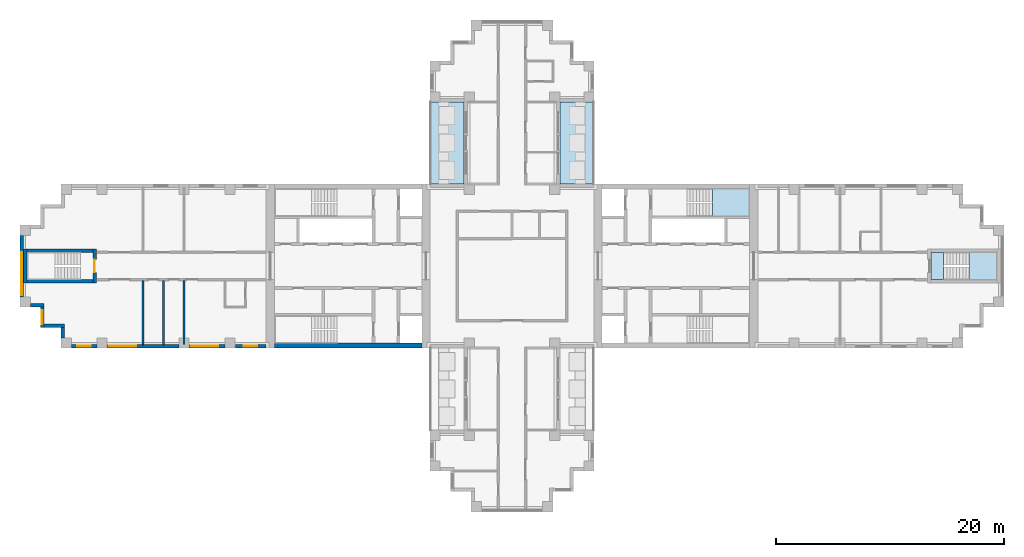
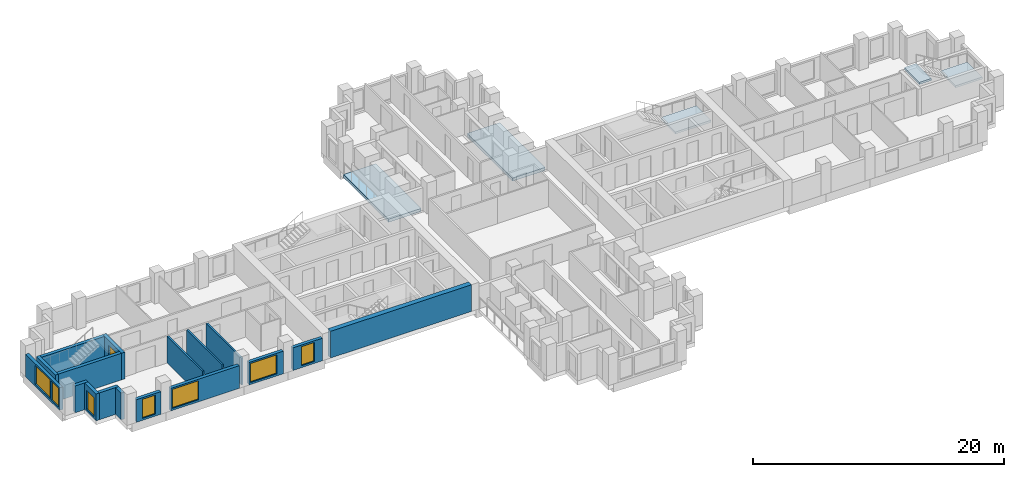
# One storey, part 2 of 11: 17 walls, 7 windows, 5 slabs, 1 door, 8 openings, 2 elements without a shape of their own.
"""IFC4 building model written with IfcOpenShell, lengths in metres."""

from ifc_helpers import new_model, si_unit, direction, frame, frame_2d, origin, place, context, subcontext, project, spatial, polyline, rectangle, outline, extrude, material, layer, layer_set, type_object, element, fill, aggregate, save


model = new_model("IFC4")

# Units and contexts
model_context = context("Model", 3, precision=1e-05, world=origin(), true_north=direction((0.0, 1.0)))
body_context = subcontext(model_context, "Body", "Model", "MODEL_VIEW")
ifc_project = project(units=[si_unit("LENGTHUNIT", "METRE"), si_unit("AREAUNIT", "SQUARE_METRE"), si_unit("VOLUMEUNIT", "CUBIC_METRE"), si_unit("PLANEANGLEUNIT", "RADIAN"), si_unit("MASSUNIT", "GRAM", prefix="KILO")], contexts=[model_context])

# Site, building, storey
site_placement = place(None, origin())
site = spatial("IfcSite", under=ifc_project, at=site_placement, CompositionType="ELEMENT")
building_placement = place(site_placement, origin())
building = spatial("IfcBuilding", under=site, at=building_placement, Name="Fustian Cross Tower", CompositionType="ELEMENT")
storey_placement = place(building_placement, frame((0.0, 0.0, 144.300048828125)))
storey = spatial("IfcBuildingStorey", under=building, at=storey_placement, Name="L45", CompositionType="ELEMENT", Elevation=144.300048828125)

# Slabs
ifc_material_1 = material(Name="Concrete C40/50", Category="concrete")
ifc_layer_1 = layer(ifc_material_1, 0.300048828125)
ifc_layer_set_1 = layer_set([ifc_layer_1], Name="Concrete C40/50")
slab_type_1 = type_object("IfcSlabType", Name="BS1 BALCONY SLAB 300", PredefinedType="FLOOR", material=ifc_layer_set_1)
slab_1_placement = place(storey_placement, frame((0.0, 0.0, -0.300048828125)))
element("IfcSlab", 1, at=slab_1_placement, inside=storey, type_object=slab_type_1, Name="Balcony slab", PredefinedType="FLOOR", context=body_context, shape_type="SweptSolid", body=[
    extrude(outline(polyline([(4.199951171875, 7.199951171875), (7.199951171875, 7.199951171875), (7.199951171875, 14.39990234375), (4.199951171875, 14.39990234375), (4.199951171875, 7.199951171875)])), origin(), (0.0, 0.0, 1.0), 0.300048828125),
])
slab_2_placement = place(storey_placement, frame((0.0, 0.0, -0.300048828125)))
element("IfcSlab", 2, at=slab_2_placement, inside=storey, type_object=slab_type_1, Name="Balcony slab", PredefinedType="FLOOR", context=body_context, shape_type="SweptSolid", body=[
    extrude(outline(polyline([(-7.199951171875, 7.199951171875), (-4.199951171875, 7.199951171875), (-4.199951171875, 14.39990234375), (-7.199951171875, 14.39990234375), (-7.199951171875, 7.199951171875)])), origin(), (0.0, 0.0, 1.0), 0.300048828125),
])

# Stair, slab
ifc_material_2 = material(Name="Concrete C50/60", Category="concrete")
stair_type_1 = type_object("IfcStairType", Name="STAIR 1150 HALF TURN", PredefinedType="HALF_TURN_STAIR", material=ifc_material_2)
stair_1_placement = place(storey_placement, origin())
stair_1 = element("IfcStair", 3, at=stair_1_placement, inside=storey, type_object=stair_type_1, Name="Stair ST1", PredefinedType="HALF_TURN_STAIR")
ifc_material_3 = material(Name="Concrete C50/60", Category="concrete")
ifc_layer_2 = layer(ifc_material_3, 0.199951171875)
ifc_layer_set_2 = layer_set([ifc_layer_2], Name="Concrete C50/60")
slab_type_2 = type_object("IfcSlabType", Name="STAIR LANDING", PredefinedType="LANDING", material=ifc_layer_set_2)
slab_3_placement = place(storey_placement, frame((0.0, 0.0, 1.300048828125)))
slab_3 = element("IfcSlab", 4, at=slab_3_placement, type_object=slab_type_2, Name="ST1 landing 1", PredefinedType="LANDING", context=body_context, shape_type="SweptSolid", body=[
    extrude(outline(polyline([(17.590087890625, 4.39990234375), (20.85009765625, 4.39990234375), (20.85009765625, 6.75), (17.590087890625, 6.75), (17.590087890625, 4.39990234375)])), origin(), (0.0, 0.0, 1.0), 0.199951171875),
])
aggregate(stair_1, [slab_3])

# Stair, slabs
ifc_material_4 = material(Name="Concrete C50/60", Category="concrete")
stair_type_2 = type_object("IfcStairType", Name="STAIR 1100 HALF TURN", PredefinedType="HALF_TURN_STAIR", material=ifc_material_4)
stair_2_placement = place(storey_placement, origin())
stair_2 = element("IfcStair", 5, at=stair_2_placement, inside=storey, type_object=stair_type_2, Name="Stair ST8", PredefinedType="HALF_TURN_STAIR")
slab_4_placement = place(storey_placement, frame((0.0, 0.0, 1.300048828125)))
slab_4 = element("IfcSlab", 6, at=slab_4_placement, type_object=slab_type_2, Name="ST8 landing 1", PredefinedType="LANDING", context=body_context, shape_type="SweptSolid", body=[
    extrude(outline(polyline([(40.139892578125, -1.199951171875), (42.60009765625, -1.199951171875), (42.60009765625, 1.199951171875), (40.139892578125, 1.199951171875), (40.139892578125, -1.199951171875)])), origin(), (0.0, 0.0, 1.0), 0.199951171875),
])
slab_5_placement = place(storey_placement, frame((0.0, 0.0, 2.800048828125)))
slab_5 = element("IfcSlab", 7, at=slab_5_placement, type_object=slab_type_2, Name="ST8 landing 2", PredefinedType="LANDING", context=body_context, shape_type="SweptSolid", body=[
    extrude(outline(polyline([(36.800048828125, -1.199951171875), (37.89990234375, -1.199951171875), (37.89990234375, 1.199951171875), (36.800048828125, 1.199951171875), (36.800048828125, -1.199951171875)])), origin(), (0.0, 0.0, 1.0), 0.199951171875),
])
aggregate(stair_2, [slab_4, slab_5])

# Walls
ifc_material_5 = material(Name="Plasterboard on steel stud", Category="steel")
ifc_layer_3 = layer(ifc_material_5, 0.14990234375)
ifc_layer_set_3 = layer_set([ifc_layer_3], Name="Plasterboard on steel stud")
wall_type_1 = type_object("IfcWallType", Name="COMPARTMENT WALL 150 EI 60", PredefinedType="PARTITIONING", material=ifc_layer_set_3)
for number, where, z_axis, x_axis, name in (
    (8, (-32.39990234375, -6.89990234375, 0.0), (0.0, 0.0, 1.0), (0.0, 1.0, 0.0), "Partition 3"),
    (9, (-30.60009765625, -6.89990234375, 0.0), (0.0, 0.0, 1.0), (0.0, 1.0, 0.0), "Partition 5"),
    (10, (-28.800048828125, -6.89990234375, 0.0), (0.0, 0.0, 1.0), (0.0, 1.0, 0.0), "Partition 6"),
):
    element("IfcWall", number, at=place(storey_placement, frame(where, z_axis=z_axis, x_axis=x_axis)), inside=storey, type_object=wall_type_1, Name=name, PredefinedType="PARTITIONING", context=body_context, shape_type="SweptSolid", body=[
        extrude(rectangle(XDim=5.625, YDim=0.14990234375, at=frame_2d((2.8125, 0.0))), origin(), (0.0, 0.0, 1.0), 2.599853515625),
    ])
ifc_material_6 = material(Name="Concrete C60/75", Category="concrete")
ifc_layer_4 = layer(ifc_material_6, 0.449951171875)
ifc_layer_set_4 = layer_set([ifc_layer_4], Name="Concrete C60/75")
wall_type_2 = type_object("IfcWallType", Name="CORE FACADE WALL 450 C60/75", PredefinedType="SHEAR", material=ifc_layer_set_4)
wall_1_placement = place(storey_placement, frame((-7.89990234375, -6.97509765625, 0.0), z_axis=(0.0, 0.0, 1.0), x_axis=(-1.0, 0.0, 0.0)))
element("IfcWall", 11, at=wall_1_placement, inside=storey, type_object=wall_type_2, Name="Core facade wall", PredefinedType="SHEAR", context=body_context, shape_type="SweptSolid", body=[
    extrude(rectangle(XDim=12.9501953125, YDim=0.449951171875, at=frame_2d((6.47509765625, 0.0))), origin(), (0.0, 0.0, 1.0), 2.599853515625),
])

# Wall, opening, door
ifc_material_7 = material(Name="Concrete C50/60", Category="concrete")
ifc_layer_5 = layer(ifc_material_7, 0.300048828125)
ifc_layer_set_5 = layer_set([ifc_layer_5], Name="Concrete C50/60")
wall_type_3 = type_object("IfcWallType", Name="STAIR ENCLOSURE WALL 300 C50/60", PredefinedType="SHEAR", material=ifc_layer_set_5)
wall_2_placement = place(storey_placement, frame((-36.64990234375, -1.5, 0.0), z_axis=(0.0, 0.0, 1.0), x_axis=(0.0, 1.0, 0.0)))
wall_2 = element("IfcWall", 12, at=wall_2_placement, inside=storey, type_object=wall_type_3, Name="Stair enclosure wall", PredefinedType="SHEAR", context=body_context, shape_type="SweptSolid", body=[
    extrude(rectangle(XDim=3.0, YDim=0.300048828125, at=frame_2d((1.5, 0.0))), origin(), (0.0, 0.0, 1.0), 2.599853515625),
])
opening_1_placement = place(wall_2_placement, frame((0.949951171875, 0.0, 0.0)))
opening_1 = element("IfcOpeningElement", 13, at=opening_1_placement, cuts=wall_2, Name="Opening CD-18-34", PredefinedType="OPENING", context=body_context, shape_type="SweptSolid", body=[
    extrude(rectangle(XDim=1.10009765625, YDim=2.10009765625, at=frame_2d((0.550048828125, 1.050048828125))), frame((0.0, 0.159912109375, 0.0), z_axis=(0.0, -1.0, 0.0), x_axis=(1.0, 0.0, 0.0)), (0.0, 0.0, 1.0), 0.320068359375),
])
ifc_material_8 = material(Name="Steel", Category="steel")
door_type = type_object("IfcDoorType", Name="FIRE DOOR FD60S 1100X2100", OperationType="SINGLE_SWING_LEFT", PredefinedType="DOOR", material=ifc_material_8)
door_placement = place(opening_1_placement, origin())
door = element("IfcDoor", 14, at=door_placement, inside=storey, type_object=door_type, Name="Core door CD-18-34", OperationType="SINGLE_SWING_LEFT", OverallHeight=2.10009765625, OverallWidth=1.10009765625, PredefinedType="DOOR", context=body_context, shape_type="SweptSolid", body=[
    extrude(rectangle(XDim=1.10009765625, YDim=2.10009765625, at=frame_2d((0.550048828125, 1.050048828125))), frame((0.0, 0.02490234375, 0.0), z_axis=(0.0, -1.0, 0.0), x_axis=(1.0, 0.0, 0.0)), (0.0, 0.0, 1.0), 0.050048828125),
])
fill(opening_1, door)

# Walls
wall_3_placement = place(storey_placement, frame((-42.75, -1.5, 0.0), z_axis=(0.0, 0.0, 1.0), x_axis=(0.0, 1.0, 0.0)))
element("IfcWall", 15, at=wall_3_placement, inside=storey, type_object=wall_type_3, Name="Stair enclosure wall", PredefinedType="SHEAR", context=body_context, shape_type="SweptSolid", body=[
    extrude(rectangle(XDim=3.0, YDim=0.300048828125, at=frame_2d((1.5, 0.0))), origin(), (0.0, 0.0, 1.0), 2.599853515625),
])
for number, where, z_axis, x_axis, name in (
    (16, (-36.800048828125, -1.35009765625, 0.0), (0.0, 0.0, 1.0), (-1.0, 0.0, 0.0), "Stair enclosure wall"),
    (17, (-36.800048828125, 1.35009765625, 0.0), (0.0, 0.0, 1.0), (-1.0, 0.0, 0.0), "Stair enclosure wall"),
):
    element("IfcWall", number, at=place(storey_placement, frame(where, z_axis=z_axis, x_axis=x_axis)), inside=storey, type_object=wall_type_3, Name=name, PredefinedType="SHEAR", context=body_context, shape_type="SweptSolid", body=[
        extrude(rectangle(XDim=5.800048828125, YDim=0.300048828125, at=frame_2d((2.89990234375, 0.0))), origin(), (0.0, 0.0, 1.0), 2.599853515625),
    ])

# Wall, openings, windows
ifc_material_9 = material(Name="Dark aluminium cladding on insulated backing wall", Category="aluminium")
ifc_layer_6 = layer(ifc_material_9, 0.300048828125)
ifc_layer_set_6 = layer_set([ifc_layer_6], Name="Dark aluminium cladding on insulated backing wall")
wall_type_4 = type_object("IfcWallType", Name="XW1 EXTERNAL WALL 300", PredefinedType="SOLIDWALL", material=ifc_layer_set_6)
wall_4_placement = place(storey_placement, frame((-43.050048828125, 2.699951171875, 0.0), z_axis=(0.0, 0.0, 1.0), x_axis=(0.0, -1.0, 0.0)))
wall_4 = element("IfcWall", 18, at=wall_4_placement, inside=storey, type_object=wall_type_4, Name="External wall", PredefinedType="SOLIDWALL", context=body_context, shape_type="SweptSolid", body=[
    extrude(rectangle(XDim=5.39990234375, YDim=0.300048828125, at=frame_2d((2.699951171875, 0.0))), origin(), (0.0, 0.0, 1.0), 2.199951171875),
])
opening_2_placement = place(wall_4_placement, frame((1.5, 0.0, 0.199951171875)))
opening_2 = element("IfcOpeningElement", 19, at=opening_2_placement, cuts=wall_4, Name="Opening WN1", PredefinedType="OPENING", context=body_context, shape_type="SweptSolid", body=[
    extrude(rectangle(XDim=2.39990234375, YDim=1.85009765625, at=frame_2d((1.199951171875, 0.925048828125))), frame((0.0, 0.159912109375, 0.0), z_axis=(0.0, -1.0, 0.0), x_axis=(1.0, 0.0, 0.0)), (0.0, 0.0, 1.0), 0.320068359375),
])
opening_3_placement = place(wall_4_placement, frame((4.050048828125, 0.0, 0.199951171875)))
opening_3 = element("IfcOpeningElement", 20, at=opening_3_placement, cuts=wall_4, Name="Opening WN3", PredefinedType="OPENING", context=body_context, shape_type="SweptSolid", body=[
    extrude(rectangle(XDim=1.199951171875, YDim=1.85009765625, at=frame_2d((0.60009765625, 0.925048828125))), frame((0.0, 0.159912109375, 0.0), z_axis=(0.0, -1.0, 0.0), x_axis=(1.0, 0.0, 0.0)), (0.0, 0.0, 1.0), 0.320068359375),
])
ifc_material_10 = material(Name="Dark anodised aluminium and double glazing", Category="aluminium")
window_type_1 = type_object("IfcWindowType", Name="WN1 WINDOW 2400X1850", PartitioningType="SINGLE_PANEL", PredefinedType="WINDOW", material=ifc_material_10)
window_1_placement = place(opening_2_placement, origin())
window_1 = element("IfcWindow", 21, at=window_1_placement, inside=storey, type_object=window_type_1, Name="Window", OverallHeight=1.85009765625, OverallWidth=2.39990234375, PartitioningType="SINGLE_PANEL", PredefinedType="WINDOW", context=body_context, shape_type="SweptSolid", body=[
    extrude(rectangle(XDim=2.39990234375, YDim=1.85009765625, at=frame_2d((1.199951171875, 0.925048828125))), frame((0.0, 0.030029296875, 0.0), z_axis=(0.0, -1.0, 0.0), x_axis=(1.0, 0.0, 0.0)), (0.0, 0.0, 1.0), 0.06005859375),
])
fill(opening_2, window_1)
ifc_material_11 = material(Name="Dark anodised aluminium and double glazing", Category="aluminium")
window_type_2 = type_object("IfcWindowType", Name="WN3 WINDOW 1200X1850", PartitioningType="SINGLE_PANEL", PredefinedType="WINDOW", material=ifc_material_11)
window_2_placement = place(opening_3_placement, origin())
window_2 = element("IfcWindow", 22, at=window_2_placement, inside=storey, type_object=window_type_2, Name="Window", OverallHeight=1.85009765625, OverallWidth=1.199951171875, PartitioningType="SINGLE_PANEL", PredefinedType="WINDOW", context=body_context, shape_type="SweptSolid", body=[
    extrude(rectangle(XDim=1.199951171875, YDim=1.85009765625, at=frame_2d((0.60009765625, 0.925048828125))), frame((0.0, 0.030029296875, 0.0), z_axis=(0.0, -1.0, 0.0), x_axis=(1.0, 0.0, 0.0)), (0.0, 0.0, 1.0), 0.06005859375),
])
fill(opening_3, window_2)

# Wall
wall_5_placement = place(storey_placement, frame((-42.300048828125, -3.449951171875, 0.0), z_axis=(0.0, 0.0, 1.0), x_axis=(1.0, 0.0, 0.0)))
element("IfcWall", 23, at=wall_5_placement, inside=storey, type_object=wall_type_4, Name="External wall", PredefinedType="SOLIDWALL", context=body_context, shape_type="SweptSolid", body=[
    extrude(rectangle(XDim=1.199951171875, YDim=0.300048828125, at=frame_2d((0.60009765625, 0.0))), origin(), (0.0, 0.0, 1.0), 2.599853515625),
])

# Wall, opening, window
wall_6_placement = place(storey_placement, frame((-41.25, -3.60009765625, 0.0), z_axis=(0.0, 0.0, 1.0), x_axis=(0.0, -1.0, 0.0)))
wall_6 = element("IfcWall", 24, at=wall_6_placement, inside=storey, type_object=wall_type_4, Name="External wall", PredefinedType="SOLIDWALL", context=body_context, shape_type="SweptSolid", body=[
    extrude(rectangle(XDim=1.7998046875, YDim=0.300048828125, at=frame_2d((0.89990234375, 0.0))), origin(), (0.0, 0.0, 1.0), 2.599853515625),
])
opening_4_placement = place(wall_6_placement, frame((0.300048828125, 0.0, 0.199951171875)))
opening_4 = element("IfcOpeningElement", 25, at=opening_4_placement, cuts=wall_6, Name="Opening WN3", PredefinedType="OPENING", context=body_context, shape_type="SweptSolid", body=[
    extrude(rectangle(XDim=1.199951171875, YDim=1.85009765625, at=frame_2d((0.60009765625, 0.925048828125))), frame((0.0, 0.159912109375, 0.0), z_axis=(0.0, -1.0, 0.0), x_axis=(1.0, 0.0, 0.0)), (0.0, 0.0, 1.0), 0.320068359375),
])
window_3_placement = place(opening_4_placement, origin())
window_3 = element("IfcWindow", 26, at=window_3_placement, inside=storey, type_object=window_type_2, Name="Window", OverallHeight=1.85009765625, OverallWidth=1.199951171875, PartitioningType="SINGLE_PANEL", PredefinedType="WINDOW", context=body_context, shape_type="SweptSolid", body=[
    extrude(rectangle(XDim=1.199951171875, YDim=1.85009765625, at=frame_2d((0.60009765625, 0.925048828125))), frame((0.0, 0.030029296875, 0.0), z_axis=(0.0, -1.0, 0.0), x_axis=(1.0, 0.0, 0.0)), (0.0, 0.0, 1.0), 0.06005859375),
])
fill(opening_4, window_3)

# Walls
wall_7_placement = place(storey_placement, frame((-41.10009765625, -5.25, 0.0), z_axis=(0.0, 0.0, 1.0), x_axis=(1.0, 0.0, 0.0)))
element("IfcWall", 27, at=wall_7_placement, inside=storey, type_object=wall_type_4, Name="External wall", PredefinedType="SOLIDWALL", context=body_context, shape_type="SweptSolid", body=[
    extrude(rectangle(XDim=1.800048828125, YDim=0.300048828125, at=frame_2d((0.89990234375, 0.0))), origin(), (0.0, 0.0, 1.0), 2.599853515625),
])
wall_8_placement = place(storey_placement, frame((-39.449951171875, -5.39990234375, 0.0), z_axis=(0.0, 0.0, 1.0), x_axis=(0.0, -1.0, 0.0)))
element("IfcWall", 28, at=wall_8_placement, inside=storey, type_object=wall_type_4, Name="External wall", PredefinedType="SOLIDWALL", context=body_context, shape_type="SweptSolid", body=[
    extrude(rectangle(XDim=0.900146484375, YDim=0.300048828125, at=frame_2d((0.4501953125, 0.0))), origin(), (0.0, 0.0, 1.0), 2.599853515625),
])

# Wall, opening, window
wall_9_placement = place(storey_placement, frame((-38.699951171875, -7.050048828125, 0.0), z_axis=(0.0, 0.0, 1.0), x_axis=(1.0, 0.0, 0.0)))
wall_9 = element("IfcWall", 29, at=wall_9_placement, inside=storey, type_object=wall_type_4, Name="External wall", PredefinedType="SOLIDWALL", context=body_context, shape_type="SweptSolid", body=[
    extrude(rectangle(XDim=2.25, YDim=0.300048828125, at=frame_2d((1.125, 0.0))), origin(), (0.0, 0.0, 1.0), 2.199951171875),
])
opening_5_placement = place(wall_9_placement, frame((0.52490234375, 0.0, 0.199951171875)))
opening_5 = element("IfcOpeningElement", 30, at=opening_5_placement, cuts=wall_9, Name="Opening WN3", PredefinedType="OPENING", context=body_context, shape_type="SweptSolid", body=[
    extrude(rectangle(XDim=1.199951171875, YDim=1.85009765625, at=frame_2d((0.60009765625, 0.925048828125))), frame((0.0, 0.159912109375, 0.0), z_axis=(0.0, -1.0, 0.0), x_axis=(1.0, 0.0, 0.0)), (0.0, 0.0, 1.0), 0.320068359375),
])
window_4_placement = place(opening_5_placement, origin())
window_4 = element("IfcWindow", 31, at=window_4_placement, inside=storey, type_object=window_type_2, Name="Window", OverallHeight=1.85009765625, OverallWidth=1.199951171875, PartitioningType="SINGLE_PANEL", PredefinedType="WINDOW", context=body_context, shape_type="SweptSolid", body=[
    extrude(rectangle(XDim=1.199951171875, YDim=1.85009765625, at=frame_2d((0.60009765625, 0.925048828125))), frame((0.0, 0.030029296875, 0.0), z_axis=(0.0, -1.0, 0.0), x_axis=(1.0, 0.0, 0.0)), (0.0, 0.0, 1.0), 0.06005859375),
])
fill(opening_5, window_4)

wall_10_placement = place(storey_placement, frame((-35.550048828125, -7.050048828125, 0.0), z_axis=(0.0, 0.0, 1.0), x_axis=(1.0, 0.0, 0.0)))
wall_10 = element("IfcWall", 32, at=wall_10_placement, inside=storey, type_object=wall_type_4, Name="External wall", PredefinedType="SOLIDWALL", context=body_context, shape_type="SweptSolid", body=[
    extrude(rectangle(XDim=6.300048828125, YDim=0.300048828125, at=frame_2d((3.14990234375, 0.0))), origin(), (0.0, 0.0, 1.0), 2.199951171875),
])
opening_6_placement = place(wall_10_placement, frame((0.14990234375, 0.0, 0.199951171875)))
opening_6 = element("IfcOpeningElement", 33, at=opening_6_placement, cuts=wall_10, Name="Opening WN1", PredefinedType="OPENING", context=body_context, shape_type="SweptSolid", body=[
    extrude(rectangle(XDim=2.39990234375, YDim=1.85009765625, at=frame_2d((1.199951171875, 0.925048828125))), frame((0.0, 0.159912109375, 0.0), z_axis=(0.0, -1.0, 0.0), x_axis=(1.0, 0.0, 0.0)), (0.0, 0.0, 1.0), 0.320068359375),
])
window_5_placement = place(opening_6_placement, origin())
window_5 = element("IfcWindow", 34, at=window_5_placement, inside=storey, type_object=window_type_1, Name="Window", OverallHeight=1.85009765625, OverallWidth=2.39990234375, PartitioningType="SINGLE_PANEL", PredefinedType="WINDOW", context=body_context, shape_type="SweptSolid", body=[
    extrude(rectangle(XDim=2.39990234375, YDim=1.85009765625, at=frame_2d((1.199951171875, 0.925048828125))), frame((0.0, 0.030029296875, 0.0), z_axis=(0.0, -1.0, 0.0), x_axis=(1.0, 0.0, 0.0)), (0.0, 0.0, 1.0), 0.06005859375),
])
fill(opening_6, window_5)

wall_11_placement = place(storey_placement, frame((-28.35009765625, -7.050048828125, 0.0), z_axis=(0.0, 0.0, 1.0), x_axis=(1.0, 0.0, 0.0)))
wall_11 = element("IfcWall", 35, at=wall_11_placement, inside=storey, type_object=wall_type_4, Name="External wall", PredefinedType="SOLIDWALL", context=body_context, shape_type="SweptSolid", body=[
    extrude(rectangle(XDim=3.150146484375, YDim=0.300048828125, at=frame_2d((1.5751953125, 0.0))), origin(), (0.0, 0.0, 1.0), 2.199951171875),
])
opening_7_placement = place(wall_11_placement, frame((0.14990234375, 0.0, 0.199951171875)))
opening_7 = element("IfcOpeningElement", 36, at=opening_7_placement, cuts=wall_11, Name="Opening WN1", PredefinedType="OPENING", context=body_context, shape_type="SweptSolid", body=[
    extrude(rectangle(XDim=2.39990234375, YDim=1.85009765625, at=frame_2d((1.199951171875, 0.925048828125))), frame((0.0, 0.159912109375, 0.0), z_axis=(0.0, -1.0, 0.0), x_axis=(1.0, 0.0, 0.0)), (0.0, 0.0, 1.0), 0.320068359375),
])
window_6_placement = place(opening_7_placement, origin())
window_6 = element("IfcWindow", 37, at=window_6_placement, inside=storey, type_object=window_type_1, Name="Window", OverallHeight=1.85009765625, OverallWidth=2.39990234375, PartitioningType="SINGLE_PANEL", PredefinedType="WINDOW", context=body_context, shape_type="SweptSolid", body=[
    extrude(rectangle(XDim=2.39990234375, YDim=1.85009765625, at=frame_2d((1.199951171875, 0.925048828125))), frame((0.0, 0.030029296875, 0.0), z_axis=(0.0, -1.0, 0.0), x_axis=(1.0, 0.0, 0.0)), (0.0, 0.0, 1.0), 0.06005859375),
])
fill(opening_7, window_6)

wall_12_placement = place(storey_placement, frame((-24.300048828125, -7.050048828125, 0.0), z_axis=(0.0, 0.0, 1.0), x_axis=(1.0, 0.0, 0.0)))
wall_12 = element("IfcWall", 38, at=wall_12_placement, inside=storey, type_object=wall_type_4, Name="External wall", PredefinedType="SOLIDWALL", context=body_context, shape_type="SweptSolid", body=[
    extrude(rectangle(XDim=2.699951171875, YDim=0.300048828125, at=frame_2d((1.35009765625, 0.0))), origin(), (0.0, 0.0, 1.0), 2.199951171875),
])
opening_8_placement = place(wall_12_placement, frame((0.75, 0.0, 0.199951171875)))
opening_8 = element("IfcOpeningElement", 39, at=opening_8_placement, cuts=wall_12, Name="Opening WN3", PredefinedType="OPENING", context=body_context, shape_type="SweptSolid", body=[
    extrude(rectangle(XDim=1.199951171875, YDim=1.85009765625, at=frame_2d((0.60009765625, 0.925048828125))), frame((0.0, 0.159912109375, 0.0), z_axis=(0.0, -1.0, 0.0), x_axis=(1.0, 0.0, 0.0)), (0.0, 0.0, 1.0), 0.320068359375),
])
window_7_placement = place(opening_8_placement, origin())
window_7 = element("IfcWindow", 40, at=window_7_placement, inside=storey, type_object=window_type_2, Name="Window", OverallHeight=1.85009765625, OverallWidth=1.199951171875, PartitioningType="SINGLE_PANEL", PredefinedType="WINDOW", context=body_context, shape_type="SweptSolid", body=[
    extrude(rectangle(XDim=1.199951171875, YDim=1.85009765625, at=frame_2d((0.60009765625, 0.925048828125))), frame((0.0, 0.030029296875, 0.0), z_axis=(0.0, -1.0, 0.0), x_axis=(1.0, 0.0, 0.0)), (0.0, 0.0, 1.0), 0.06005859375),
])
fill(opening_8, window_7)

save(model, "model.ifc")
